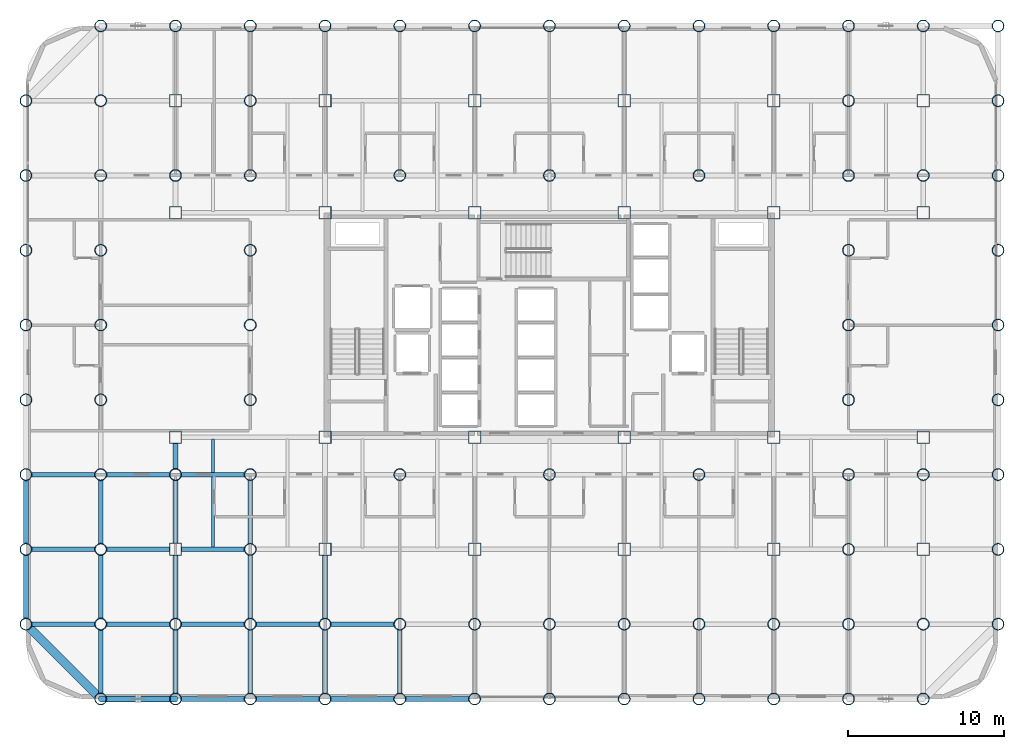
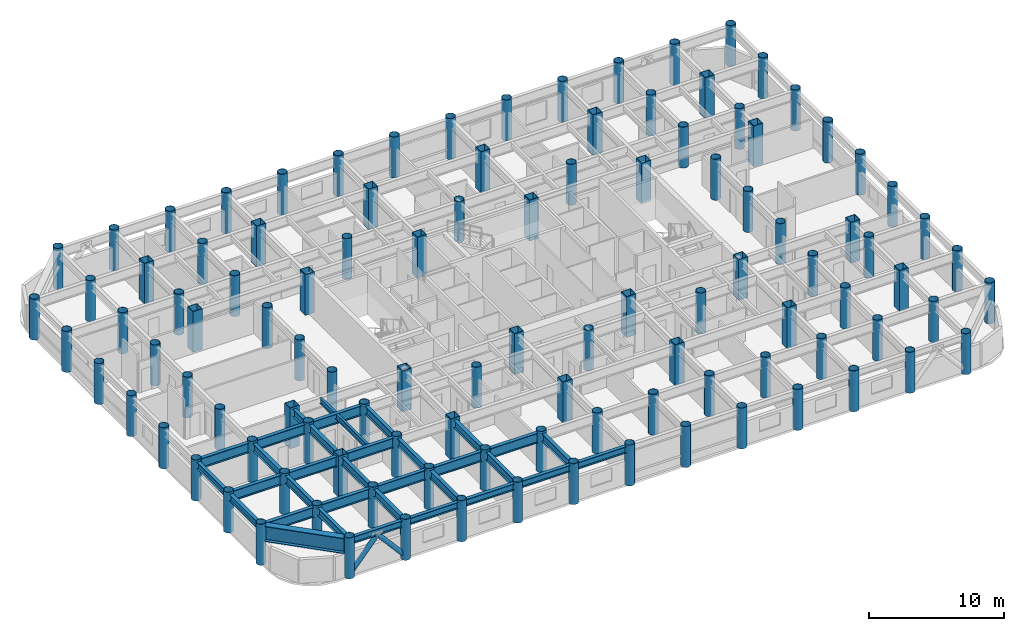
# One storey, part 1 of 22: 108 columns, 33 beams, 2 members.
"""IFC4 building model written with IfcOpenShell, lengths in metres."""

from ifc_helpers import new_model, si_unit, direction, frame, origin, origin_2d, place, context, subcontext, project, spatial, hollow_rectangle, hollow_circle, i_section, extrude, material, material_profile, profile_set, type_object, element, save


model = new_model("IFC4")

# Units and contexts
model_context = context("Model", 3, precision=1e-05, world=origin(), true_north=direction((0.0, 1.0)))
body_context = subcontext(model_context, "Body", "Model", "MODEL_VIEW")
ifc_project = project(units=[si_unit("LENGTHUNIT", "METRE"), si_unit("AREAUNIT", "SQUARE_METRE"), si_unit("VOLUMEUNIT", "CUBIC_METRE"), si_unit("PLANEANGLEUNIT", "RADIAN"), si_unit("MASSUNIT", "GRAM", prefix="KILO")], contexts=[model_context])

# Site, building, storey
site_placement = place(None, origin())
site = spatial("IfcSite", under=ifc_project, at=site_placement, CompositionType="ELEMENT")
building_placement = place(site_placement, origin())
building = spatial("IfcBuilding", under=site, at=building_placement, Name="Kallvorn Hotel Tower", CompositionType="ELEMENT")
storey_placement = place(building_placement, frame((0.0, 0.0, 33.699951171875)))
storey = spatial("IfcBuildingStorey", under=building, at=storey_placement, Name="L06", CompositionType="ELEMENT", Elevation=33.699951171875)

# Columns
ifc_material_1 = material(Name="Structural steel S355J2H", Category="steel")
ifc_material_profile_1 = material_profile(ifc_material_1, hollow_circle(Radius=0.381103515625, WallThickness=0.031982421875, at=origin_2d()), Name="CHS 762x32")
ifc_profile_set_1 = profile_set([ifc_material_profile_1], Name="Structural steel S355J2H")
column_type_1 = type_object("IfcColumnType", Name="COL_CHS_762", PredefinedType="COLUMN", material=ifc_profile_set_1)
for number, where, z_axis, x_axis, name in (
    (1, (-33.60009765625, -19.199951171875, 0.0), (0.0, 0.0, 1.0), (1.0, 0.0, 0.0), "L06 Exoskeleton Column EC01"),
    (2, (-33.60009765625, -14.39990234375, 0.0), (0.0, 0.0, 1.0), (1.0, 0.0, 0.0), "L06 Exoskeleton Column EC02"),
    (3, (-33.60009765625, -9.60009765625, 0.0), (0.0, 0.0, 1.0), (1.0, 0.0, 0.0), "L06 Exoskeleton Column EC03"),
    (4, (-33.60009765625, -4.800048828125, 0.0), (0.0, 0.0, 1.0), (1.0, 0.0, 0.0), "L06 Exoskeleton Column EC04"),
    (5, (-33.60009765625, 0.0, 0.0), (0.0, 0.0, 1.0), (1.0, 0.0, 0.0), "L06 Exoskeleton Column EC05"),
    (6, (-33.60009765625, 4.800048828125, 0.0), (0.0, 0.0, 1.0), (1.0, 0.0, 0.0), "L06 Exoskeleton Column EC06"),
    (7, (-33.60009765625, 9.60009765625, 0.0), (0.0, 0.0, 1.0), (1.0, 0.0, 0.0), "L06 Exoskeleton Column EC07"),
    (8, (-33.60009765625, 14.39990234375, 0.0), (0.0, 0.0, 1.0), (1.0, 0.0, 0.0), "L06 Exoskeleton Column EC08"),
    (9, (-28.800048828125, -24.0, 0.0), (0.0, 0.0, 1.0), (1.0, 0.0, 0.0), "L06 Exoskeleton Column EC09"),
    (10, (-28.800048828125, -19.199951171875, 0.0), (0.0, 0.0, 1.0), (1.0, 0.0, 0.0), "L06 Exoskeleton Column EC10"),
    (11, (-28.800048828125, -14.39990234375, 0.0), (0.0, 0.0, 1.0), (1.0, 0.0, 0.0), "L06 Exoskeleton Column EC11"),
    (12, (-28.800048828125, -9.60009765625, 0.0), (0.0, 0.0, 1.0), (1.0, 0.0, 0.0), "L06 Exoskeleton Column EC12"),
    (13, (-28.800048828125, -4.800048828125, 0.0), (0.0, 0.0, 1.0), (1.0, 0.0, 0.0), "L06 Exoskeleton Column EC13"),
    (14, (-28.800048828125, 0.0, 0.0), (0.0, 0.0, 1.0), (1.0, 0.0, 0.0), "L06 Exoskeleton Column EC14"),
    (15, (-28.800048828125, 4.800048828125, 0.0), (0.0, 0.0, 1.0), (1.0, 0.0, 0.0), "L06 Exoskeleton Column EC15"),
    (16, (-28.800048828125, 9.60009765625, 0.0), (0.0, 0.0, 1.0), (1.0, 0.0, 0.0), "L06 Exoskeleton Column EC16"),
    (17, (-28.800048828125, 14.39990234375, 0.0), (0.0, 0.0, 1.0), (1.0, 0.0, 0.0), "L06 Exoskeleton Column EC17"),
    (18, (-28.800048828125, 19.199951171875, 0.0), (0.0, 0.0, 1.0), (1.0, 0.0, 0.0), "L06 Exoskeleton Column EC18"),
    (19, (-24.0, -24.0, 0.0), (0.0, 0.0, 1.0), (1.0, 0.0, 0.0), "L06 Exoskeleton Column EC19"),
    (20, (-24.0, -19.199951171875, 0.0), (0.0, 0.0, 1.0), (1.0, 0.0, 0.0), "L06 Exoskeleton Column EC20"),
    (21, (-24.0, -9.60009765625, 0.0), (0.0, 0.0, 1.0), (1.0, 0.0, 0.0), "L06 Exoskeleton Column EC21"),
    (22, (-24.0, 9.60009765625, 0.0), (0.0, 0.0, 1.0), (1.0, 0.0, 0.0), "L06 Exoskeleton Column EC22"),
    (23, (-24.0, 19.199951171875, 0.0), (0.0, 0.0, 1.0), (1.0, 0.0, 0.0), "L06 Exoskeleton Column EC23"),
    (24, (-19.199951171875, -24.0, 0.0), (0.0, 0.0, 1.0), (1.0, 0.0, 0.0), "L06 Exoskeleton Column EC24"),
    (25, (-19.199951171875, -19.199951171875, 0.0), (0.0, 0.0, 1.0), (1.0, 0.0, 0.0), "L06 Exoskeleton Column EC25"),
    (26, (-19.199951171875, -14.39990234375, 0.0), (0.0, 0.0, 1.0), (1.0, 0.0, 0.0), "L06 Exoskeleton Column EC26"),
    (27, (-19.199951171875, -9.60009765625, 0.0), (0.0, 0.0, 1.0), (1.0, 0.0, 0.0), "L06 Exoskeleton Column EC27"),
    (28, (-19.199951171875, -4.800048828125, 0.0), (0.0, 0.0, 1.0), (1.0, 0.0, 0.0), "L06 Exoskeleton Column EC28"),
    (29, (-19.199951171875, 0.0, 0.0), (0.0, 0.0, 1.0), (1.0, 0.0, 0.0), "L06 Exoskeleton Column EC29"),
    (30, (-19.199951171875, 4.800048828125, 0.0), (0.0, 0.0, 1.0), (1.0, 0.0, 0.0), "L06 Exoskeleton Column EC30"),
    (31, (-19.199951171875, 9.60009765625, 0.0), (0.0, 0.0, 1.0), (1.0, 0.0, 0.0), "L06 Exoskeleton Column EC31"),
    (32, (-19.199951171875, 14.39990234375, 0.0), (0.0, 0.0, 1.0), (1.0, 0.0, 0.0), "L06 Exoskeleton Column EC32"),
    (33, (-19.199951171875, 19.199951171875, 0.0), (0.0, 0.0, 1.0), (1.0, 0.0, 0.0), "L06 Exoskeleton Column EC33"),
    (34, (-14.39990234375, -24.0, 0.0), (0.0, 0.0, 1.0), (1.0, 0.0, 0.0), "L06 Exoskeleton Column EC34"),
    (35, (-14.39990234375, -19.199951171875, 0.0), (0.0, 0.0, 1.0), (1.0, 0.0, 0.0), "L06 Exoskeleton Column EC35"),
    (36, (-14.39990234375, 19.199951171875, 0.0), (0.0, 0.0, 1.0), (1.0, 0.0, 0.0), "L06 Exoskeleton Column EC36"),
    (37, (-9.60009765625, -24.0, 0.0), (0.0, 0.0, 1.0), (1.0, 0.0, 0.0), "L06 Exoskeleton Column EC37"),
    (38, (-9.60009765625, -19.199951171875, 0.0), (0.0, 0.0, 1.0), (1.0, 0.0, 0.0), "L06 Exoskeleton Column EC38"),
    (39, (-9.60009765625, -9.60009765625, 0.0), (0.0, 0.0, 1.0), (1.0, 0.0, 0.0), "L06 Exoskeleton Column EC39"),
    (40, (-9.60009765625, 9.60009765625, 0.0), (0.0, 0.0, 1.0), (1.0, 0.0, 0.0), "L06 Exoskeleton Column EC40"),
    (41, (-9.60009765625, 19.199951171875, 0.0), (0.0, 0.0, 1.0), (1.0, 0.0, 0.0), "L06 Exoskeleton Column EC41"),
    (42, (-4.800048828125, -24.0, 0.0), (0.0, 0.0, 1.0), (1.0, 0.0, 0.0), "L06 Exoskeleton Column EC42"),
    (43, (-4.800048828125, -19.199951171875, 0.0), (0.0, 0.0, 1.0), (1.0, 0.0, 0.0), "L06 Exoskeleton Column EC43"),
    (44, (-4.800048828125, 19.199951171875, 0.0), (0.0, 0.0, 1.0), (1.0, 0.0, 0.0), "L06 Exoskeleton Column EC44"),
    (45, (0.0, -24.0, 0.0), (0.0, 0.0, 1.0), (1.0, 0.0, 0.0), "L06 Exoskeleton Column EC45"),
    (46, (0.0, -19.199951171875, 0.0), (0.0, 0.0, 1.0), (1.0, 0.0, 0.0), "L06 Exoskeleton Column EC46"),
    (47, (0.0, -9.60009765625, 0.0), (0.0, 0.0, 1.0), (1.0, 0.0, 0.0), "L06 Exoskeleton Column EC47"),
    (48, (0.0, 9.60009765625, 0.0), (0.0, 0.0, 1.0), (1.0, 0.0, 0.0), "L06 Exoskeleton Column EC48"),
    (49, (0.0, 19.199951171875, 0.0), (0.0, 0.0, 1.0), (1.0, 0.0, 0.0), "L06 Exoskeleton Column EC49"),
    (50, (4.800048828125, -24.0, 0.0), (0.0, 0.0, 1.0), (1.0, 0.0, 0.0), "L06 Exoskeleton Column EC50"),
    (51, (4.800048828125, -19.199951171875, 0.0), (0.0, 0.0, 1.0), (1.0, 0.0, 0.0), "L06 Exoskeleton Column EC51"),
    (52, (4.800048828125, 19.199951171875, 0.0), (0.0, 0.0, 1.0), (1.0, 0.0, 0.0), "L06 Exoskeleton Column EC52"),
    (53, (9.60009765625, -24.0, 0.0), (0.0, 0.0, 1.0), (1.0, 0.0, 0.0), "L06 Exoskeleton Column EC53"),
    (54, (9.60009765625, -19.199951171875, 0.0), (0.0, 0.0, 1.0), (1.0, 0.0, 0.0), "L06 Exoskeleton Column EC54"),
    (55, (9.60009765625, -9.60009765625, 0.0), (0.0, 0.0, 1.0), (1.0, 0.0, 0.0), "L06 Exoskeleton Column EC55"),
    (56, (9.60009765625, 9.60009765625, 0.0), (0.0, 0.0, 1.0), (1.0, 0.0, 0.0), "L06 Exoskeleton Column EC56"),
    (57, (9.60009765625, 19.199951171875, 0.0), (0.0, 0.0, 1.0), (1.0, 0.0, 0.0), "L06 Exoskeleton Column EC57"),
    (58, (14.39990234375, -24.0, 0.0), (0.0, 0.0, 1.0), (1.0, 0.0, 0.0), "L06 Exoskeleton Column EC58"),
    (59, (14.39990234375, -19.199951171875, 0.0), (0.0, 0.0, 1.0), (1.0, 0.0, 0.0), "L06 Exoskeleton Column EC59"),
    (60, (14.39990234375, 19.199951171875, 0.0), (0.0, 0.0, 1.0), (1.0, 0.0, 0.0), "L06 Exoskeleton Column EC60"),
    (61, (19.199951171875, -24.0, 0.0), (0.0, 0.0, 1.0), (1.0, 0.0, 0.0), "L06 Exoskeleton Column EC61"),
    (62, (19.199951171875, -19.199951171875, 0.0), (0.0, 0.0, 1.0), (1.0, 0.0, 0.0), "L06 Exoskeleton Column EC62"),
    (63, (19.199951171875, -14.39990234375, 0.0), (0.0, 0.0, 1.0), (1.0, 0.0, 0.0), "L06 Exoskeleton Column EC63"),
    (64, (19.199951171875, -9.60009765625, 0.0), (0.0, 0.0, 1.0), (1.0, 0.0, 0.0), "L06 Exoskeleton Column EC64"),
    (65, (19.199951171875, -4.800048828125, 0.0), (0.0, 0.0, 1.0), (1.0, 0.0, 0.0), "L06 Exoskeleton Column EC65"),
    (66, (19.199951171875, 0.0, 0.0), (0.0, 0.0, 1.0), (1.0, 0.0, 0.0), "L06 Exoskeleton Column EC66"),
    (67, (19.199951171875, 4.800048828125, 0.0), (0.0, 0.0, 1.0), (1.0, 0.0, 0.0), "L06 Exoskeleton Column EC67"),
    (68, (19.199951171875, 9.60009765625, 0.0), (0.0, 0.0, 1.0), (1.0, 0.0, 0.0), "L06 Exoskeleton Column EC68"),
    (69, (19.199951171875, 14.39990234375, 0.0), (0.0, 0.0, 1.0), (1.0, 0.0, 0.0), "L06 Exoskeleton Column EC69"),
    (70, (19.199951171875, 19.199951171875, 0.0), (0.0, 0.0, 1.0), (1.0, 0.0, 0.0), "L06 Exoskeleton Column EC70"),
    (71, (24.0, -24.0, 0.0), (0.0, 0.0, 1.0), (1.0, 0.0, 0.0), "L06 Exoskeleton Column EC71"),
    (72, (24.0, -19.199951171875, 0.0), (0.0, 0.0, 1.0), (1.0, 0.0, 0.0), "L06 Exoskeleton Column EC72"),
    (73, (24.0, -9.60009765625, 0.0), (0.0, 0.0, 1.0), (1.0, 0.0, 0.0), "L06 Exoskeleton Column EC73"),
    (74, (24.0, 9.60009765625, 0.0), (0.0, 0.0, 1.0), (1.0, 0.0, 0.0), "L06 Exoskeleton Column EC74"),
    (75, (24.0, 19.199951171875, 0.0), (0.0, 0.0, 1.0), (1.0, 0.0, 0.0), "L06 Exoskeleton Column EC75"),
    (76, (28.800048828125, -19.199951171875, 0.0), (0.0, 0.0, 1.0), (1.0, 0.0, 0.0), "L06 Exoskeleton Column EC76"),
    (77, (28.800048828125, -14.39990234375, 0.0), (0.0, 0.0, 1.0), (1.0, 0.0, 0.0), "L06 Exoskeleton Column EC77"),
    (78, (28.800048828125, -9.60009765625, 0.0), (0.0, 0.0, 1.0), (1.0, 0.0, 0.0), "L06 Exoskeleton Column EC78"),
    (79, (28.800048828125, -4.800048828125, 0.0), (0.0, 0.0, 1.0), (1.0, 0.0, 0.0), "L06 Exoskeleton Column EC79"),
    (80, (28.800048828125, 0.0, 0.0), (0.0, 0.0, 1.0), (1.0, 0.0, 0.0), "L06 Exoskeleton Column EC80"),
    (81, (28.800048828125, 4.800048828125, 0.0), (0.0, 0.0, 1.0), (1.0, 0.0, 0.0), "L06 Exoskeleton Column EC81"),
    (82, (28.800048828125, 9.60009765625, 0.0), (0.0, 0.0, 1.0), (1.0, 0.0, 0.0), "L06 Exoskeleton Column EC82"),
    (83, (28.800048828125, 14.39990234375, 0.0), (0.0, 0.0, 1.0), (1.0, 0.0, 0.0), "L06 Exoskeleton Column EC83"),
    (84, (28.800048828125, 19.199951171875, 0.0), (0.0, 0.0, 1.0), (1.0, 0.0, 0.0), "L06 Exoskeleton Column EC84"),
):
    element("IfcColumn", number, at=place(storey_placement, frame(where, z_axis=z_axis, x_axis=x_axis)), inside=storey, type_object=column_type_1, Name=name, PredefinedType="COLUMN", context=body_context, shape_type="SweptSolid", body=[
        extrude(hollow_circle(Radius=0.381103515625, WallThickness=0.031982421875, at=origin_2d()), origin(), (0.0, 0.0, 1.0), 3.699951171875),
    ])
ifc_material_2 = material(Name="Structural steel S355J2H", Category="steel")
ifc_material_profile_2 = material_profile(ifc_material_2, hollow_rectangle(XDim=0.800048828125, YDim=0.800048828125, WallThickness=0.035888671875, at=origin_2d()), Name="RHS 800x800x36")
ifc_profile_set_2 = profile_set([ifc_material_profile_2], Name="Structural steel S355J2H")
column_type_2 = type_object("IfcColumnType", Name="COL_RHS_800", PredefinedType="COLUMN", material=ifc_profile_set_2)
for number, where, z_axis, x_axis, name in (
    (85, (-24.0, -14.39990234375, 0.0), (0.0, 0.0, 1.0), (1.0, 0.0, 0.0), "L06 Inner Column IC01"),
    (86, (-24.0, -7.199951171875, 0.0), (0.0, 0.0, 1.0), (1.0, 0.0, 0.0), "L06 Inner Column IC02"),
    (87, (-24.0, 7.199951171875, 0.0), (0.0, 0.0, 1.0), (1.0, 0.0, 0.0), "L06 Inner Column IC03"),
    (88, (-24.0, 14.39990234375, 0.0), (0.0, 0.0, 1.0), (1.0, 0.0, 0.0), "L06 Inner Column IC04"),
    (89, (-14.39990234375, -14.39990234375, 0.0), (0.0, 0.0, 1.0), (1.0, 0.0, 0.0), "L06 Inner Column IC05"),
    (90, (-14.39990234375, -7.199951171875, 0.0), (0.0, 0.0, 1.0), (1.0, 0.0, 0.0), "L06 Inner Column IC06"),
    (91, (-14.39990234375, 7.199951171875, 0.0), (0.0, 0.0, 1.0), (1.0, 0.0, 0.0), "L06 Inner Column IC07"),
    (92, (-14.39990234375, 14.39990234375, 0.0), (0.0, 0.0, 1.0), (1.0, 0.0, 0.0), "L06 Inner Column IC08"),
    (93, (-4.800048828125, -14.39990234375, 0.0), (0.0, 0.0, 1.0), (1.0, 0.0, 0.0), "L06 Inner Column IC09"),
    (94, (-4.800048828125, -7.199951171875, 0.0), (0.0, 0.0, 1.0), (1.0, 0.0, 0.0), "L06 Inner Column IC10"),
    (95, (-4.800048828125, 7.199951171875, 0.0), (0.0, 0.0, 1.0), (1.0, 0.0, 0.0), "L06 Inner Column IC11"),
    (96, (-4.800048828125, 14.39990234375, 0.0), (0.0, 0.0, 1.0), (1.0, 0.0, 0.0), "L06 Inner Column IC12"),
    (97, (4.800048828125, -14.39990234375, 0.0), (0.0, 0.0, 1.0), (1.0, 0.0, 0.0), "L06 Inner Column IC13"),
    (98, (4.800048828125, -7.199951171875, 0.0), (0.0, 0.0, 1.0), (1.0, 0.0, 0.0), "L06 Inner Column IC14"),
    (99, (4.800048828125, 7.199951171875, 0.0), (0.0, 0.0, 1.0), (1.0, 0.0, 0.0), "L06 Inner Column IC15"),
    (100, (4.800048828125, 14.39990234375, 0.0), (0.0, 0.0, 1.0), (1.0, 0.0, 0.0), "L06 Inner Column IC16"),
    (101, (14.39990234375, -14.39990234375, 0.0), (0.0, 0.0, 1.0), (1.0, 0.0, 0.0), "L06 Inner Column IC17"),
    (102, (14.39990234375, -7.199951171875, 0.0), (0.0, 0.0, 1.0), (1.0, 0.0, 0.0), "L06 Inner Column IC18"),
    (103, (14.39990234375, 7.199951171875, 0.0), (0.0, 0.0, 1.0), (1.0, 0.0, 0.0), "L06 Inner Column IC19"),
    (104, (14.39990234375, 14.39990234375, 0.0), (0.0, 0.0, 1.0), (1.0, 0.0, 0.0), "L06 Inner Column IC20"),
    (105, (24.0, -14.39990234375, 0.0), (0.0, 0.0, 1.0), (1.0, 0.0, 0.0), "L06 Inner Column IC21"),
    (106, (24.0, -7.199951171875, 0.0), (0.0, 0.0, 1.0), (1.0, 0.0, 0.0), "L06 Inner Column IC22"),
    (107, (24.0, 7.199951171875, 0.0), (0.0, 0.0, 1.0), (1.0, 0.0, 0.0), "L06 Inner Column IC23"),
    (108, (24.0, 14.39990234375, 0.0), (0.0, 0.0, 1.0), (1.0, 0.0, 0.0), "L06 Inner Column IC24"),
):
    element("IfcColumn", number, at=place(storey_placement, frame(where, z_axis=z_axis, x_axis=x_axis)), inside=storey, type_object=column_type_2, Name=name, PredefinedType="COLUMN", context=body_context, shape_type="SweptSolid", body=[
        extrude(hollow_rectangle(XDim=0.800048828125, YDim=0.800048828125, WallThickness=0.035888671875, at=origin_2d()), origin(), (0.0, 0.0, 1.0), 3.699951171875),
    ])

# Beams
ifc_material_3 = material(Name="Structural steel S355JR", Category="steel")
ifc_material_profile_3 = material_profile(ifc_material_3, i_section(OverallWidth=0.300048828125, OverallDepth=0.60009765625, WebThickness=0.015380859375, FlangeThickness=0.030029296875, at=origin_2d()), Name="HE 600 B")
ifc_profile_set_3 = profile_set([ifc_material_profile_3], Name="Structural steel S355JR")
beam_type_1 = type_object("IfcBeamType", Name="BM_HE600B", PredefinedType="SPANDREL", material=ifc_profile_set_3)
for number, where, z_axis, x_axis, name in (
    (109, (-28.428955078125, -24.0, 3.219970703125), (1.0, 0.0, 0.0), (0.0, 1.0, 0.0), "L07 Perimeter Spandrel 151"),
    (110, (-23.62890625, -24.0, 3.219970703125), (1.0, 0.0, 0.0), (0.0, 1.0, 0.0), "L07 Perimeter Spandrel 152"),
):
    element("IfcBeam", number, at=place(storey_placement, frame(where, z_axis=z_axis, x_axis=x_axis)), inside=storey, type_object=beam_type_1, Name=name, PredefinedType="SPANDREL", context=body_context, shape_type="SweptSolid", body=[
        extrude(i_section(OverallWidth=0.300048828125, OverallDepth=0.60009765625, WebThickness=0.015380859375, FlangeThickness=0.030029296875, at=origin_2d()), origin(), (0.0, 0.0, 1.0), 4.057861328125),
    ])
for number, where, z_axis, x_axis, name in (
    (111, (-18.8291015625, -24.0, 3.219970703125), (1.0, 0.0, 0.0), (0.0, 1.0, 0.0), "L07 Perimeter Spandrel 153"),
    (112, (-14.029052734375, -24.0, 3.219970703125), (1.0, 0.0, 0.0), (0.0, 1.0, 0.0), "L07 Perimeter Spandrel 154"),
    (113, (-9.22900390625, -24.0, 3.219970703125), (1.0, 0.0, 0.0), (0.0, 1.0, 0.0), "L07 Perimeter Spandrel 155"),
    (114, (-33.60009765625, -18.8291015625, 3.219970703125), (0.0, 1.0, 0.0), (-1.0, 0.0, 0.0), "L07 Perimeter Spandrel 174"),
    (115, (-33.60009765625, -14.029052734375, 3.219970703125), (0.0, 1.0, 0.0), (-1.0, 0.0, 0.0), "L07 Perimeter Spandrel 175"),
):
    element("IfcBeam", number, at=place(storey_placement, frame(where, z_axis=z_axis, x_axis=x_axis)), inside=storey, type_object=beam_type_1, Name=name, PredefinedType="SPANDREL", context=body_context, shape_type="SweptSolid", body=[
        extrude(i_section(OverallWidth=0.300048828125, OverallDepth=0.60009765625, WebThickness=0.015380859375, FlangeThickness=0.030029296875, at=origin_2d()), origin(), (0.0, 0.0, 1.0), 4.05810546875),
    ])
ifc_material_4 = material(Name="Structural steel S355JR", Category="steel")
ifc_material_profile_4 = material_profile(ifc_material_4, i_section(OverallWidth=0.300048828125, OverallDepth=0.699951171875, WebThickness=0.01708984375, FlangeThickness=0.031982421875, at=origin_2d()), Name="HE 700 B")
ifc_profile_set_4 = profile_set([ifc_material_profile_4], Name="Structural steel S355JR")
beam_type_2 = type_object("IfcBeamType", Name="BM_HE700B", PredefinedType="BEAM", material=ifc_profile_set_4)
beam_1_placement = place(storey_placement, frame((-28.800048828125, -23.64404296875, 3.170166015625), z_axis=(0.0, 1.0, 0.0), x_axis=(-1.0, 0.0, 0.0)))
element("IfcBeam", 116, at=beam_1_placement, inside=storey, type_object=beam_type_2, Name="L07 Primary Y-Girder 73", PredefinedType="BEAM", context=body_context, shape_type="SweptSolid", body=[
    extrude(i_section(OverallWidth=0.300048828125, OverallDepth=0.699951171875, WebThickness=0.01708984375, FlangeThickness=0.031982421875, at=origin_2d()), origin(), (0.0, 0.0, 1.0), 4.088134765625),
])
for number, where, z_axis, x_axis, name in (
    (117, (-28.800048828125, -18.843994140625, 3.170166015625), (0.0, 1.0, 0.0), (-1.0, 0.0, 0.0), "L07 Primary Y-Girder 74"),
    (118, (-28.800048828125, -14.0439453125, 3.170166015625), (0.0, 1.0, 0.0), (-1.0, 0.0, 0.0), "L07 Primary Y-Girder 75"),
):
    element("IfcBeam", number, at=place(storey_placement, frame(where, z_axis=z_axis, x_axis=x_axis)), inside=storey, type_object=beam_type_2, Name=name, PredefinedType="BEAM", context=body_context, shape_type="SweptSolid", body=[
        extrude(i_section(OverallWidth=0.300048828125, OverallDepth=0.699951171875, WebThickness=0.01708984375, FlangeThickness=0.031982421875, at=origin_2d()), origin(), (0.0, 0.0, 1.0), 4.087890625),
    ])
beam_2_placement = place(storey_placement, frame((-24.0, -23.64404296875, 3.170166015625), z_axis=(0.0, 1.0, 0.0), x_axis=(-1.0, 0.0, 0.0)))
element("IfcBeam", 119, at=beam_2_placement, inside=storey, type_object=beam_type_2, Name="L07 Primary Y-Girder 82", PredefinedType="BEAM", context=body_context, shape_type="SweptSolid", body=[
    extrude(i_section(OverallWidth=0.300048828125, OverallDepth=0.699951171875, WebThickness=0.01708984375, FlangeThickness=0.031982421875, at=origin_2d()), origin(), (0.0, 0.0, 1.0), 4.088134765625),
])
beam_3_placement = place(storey_placement, frame((-24.0, -18.843994140625, 3.170166015625), z_axis=(0.0, 1.0, 0.0), x_axis=(-1.0, 0.0, 0.0)))
element("IfcBeam", 120, at=beam_3_placement, inside=storey, type_object=beam_type_2, Name="L07 Primary Y-Girder 83", PredefinedType="BEAM", context=body_context, shape_type="SweptSolid", body=[
    extrude(i_section(OverallWidth=0.300048828125, OverallDepth=0.699951171875, WebThickness=0.01708984375, FlangeThickness=0.031982421875, at=origin_2d()), origin(), (0.0, 0.0, 1.0), 4.069091796875),
])
beam_4_placement = place(storey_placement, frame((-24.0, -14.02490234375, 3.170166015625), z_axis=(0.0, 1.0, 0.0), x_axis=(-1.0, 0.0, 0.0)))
element("IfcBeam", 121, at=beam_4_placement, inside=storey, type_object=beam_type_2, Name="L07 Primary Y-Girder 84", PredefinedType="BEAM", context=body_context, shape_type="SweptSolid", body=[
    extrude(i_section(OverallWidth=0.300048828125, OverallDepth=0.699951171875, WebThickness=0.01708984375, FlangeThickness=0.031982421875, at=origin_2d()), origin(), (0.0, 0.0, 1.0), 4.06884765625),
])
beam_5_placement = place(storey_placement, frame((-24.0, -9.243896484375, 3.170166015625), z_axis=(0.0, 1.0, 0.0), x_axis=(-1.0, 0.0, 0.0)))
element("IfcBeam", 122, at=beam_5_placement, inside=storey, type_object=beam_type_2, Name="L07 Primary Y-Girder 85", PredefinedType="BEAM", context=body_context, shape_type="SweptSolid", body=[
    extrude(i_section(OverallWidth=0.300048828125, OverallDepth=0.699951171875, WebThickness=0.01708984375, FlangeThickness=0.031982421875, at=origin_2d()), origin(), (0.0, 0.0, 1.0), 1.6689453125),
])
beam_6_placement = place(storey_placement, frame((-19.199951171875, -23.64404296875, 3.170166015625), z_axis=(0.0, 1.0, 0.0), x_axis=(-1.0, 0.0, 0.0)))
element("IfcBeam", 123, at=beam_6_placement, inside=storey, type_object=beam_type_2, Name="L07 Primary Y-Girder 89", PredefinedType="BEAM", context=body_context, shape_type="SweptSolid", body=[
    extrude(i_section(OverallWidth=0.300048828125, OverallDepth=0.699951171875, WebThickness=0.01708984375, FlangeThickness=0.031982421875, at=origin_2d()), origin(), (0.0, 0.0, 1.0), 4.088134765625),
])
for number, where, z_axis, x_axis, name in (
    (124, (-19.199951171875, -18.843994140625, 3.170166015625), (0.0, 1.0, 0.0), (-1.0, 0.0, 0.0), "L07 Primary Y-Girder 90"),
    (125, (-19.199951171875, -14.0439453125, 3.170166015625), (0.0, 1.0, 0.0), (-1.0, 0.0, 0.0), "L07 Primary Y-Girder 91"),
):
    element("IfcBeam", number, at=place(storey_placement, frame(where, z_axis=z_axis, x_axis=x_axis)), inside=storey, type_object=beam_type_2, Name=name, PredefinedType="BEAM", context=body_context, shape_type="SweptSolid", body=[
        extrude(i_section(OverallWidth=0.300048828125, OverallDepth=0.699951171875, WebThickness=0.01708984375, FlangeThickness=0.031982421875, at=origin_2d()), origin(), (0.0, 0.0, 1.0), 4.087890625),
    ])
beam_7_placement = place(storey_placement, frame((-14.39990234375, -23.64404296875, 3.170166015625), z_axis=(0.0, 1.0, 0.0), x_axis=(-1.0, 0.0, 0.0)))
element("IfcBeam", 126, at=beam_7_placement, inside=storey, type_object=beam_type_2, Name="L07 Primary Y-Girder 98", PredefinedType="BEAM", context=body_context, shape_type="SweptSolid", body=[
    extrude(i_section(OverallWidth=0.300048828125, OverallDepth=0.699951171875, WebThickness=0.01708984375, FlangeThickness=0.031982421875, at=origin_2d()), origin(), (0.0, 0.0, 1.0), 4.088134765625),
])
beam_8_placement = place(storey_placement, frame((-14.39990234375, -18.843994140625, 3.170166015625), z_axis=(0.0, 1.0, 0.0), x_axis=(-1.0, 0.0, 0.0)))
element("IfcBeam", 127, at=beam_8_placement, inside=storey, type_object=beam_type_2, Name="L07 Primary Y-Girder 99", PredefinedType="BEAM", context=body_context, shape_type="SweptSolid", body=[
    extrude(i_section(OverallWidth=0.300048828125, OverallDepth=0.699951171875, WebThickness=0.01708984375, FlangeThickness=0.031982421875, at=origin_2d()), origin(), (0.0, 0.0, 1.0), 4.069091796875),
])
beam_9_placement = place(storey_placement, frame((-9.60009765625, -23.64404296875, 3.170166015625), z_axis=(0.0, 1.0, 0.0), x_axis=(-1.0, 0.0, 0.0)))
element("IfcBeam", 128, at=beam_9_placement, inside=storey, type_object=beam_type_2, Name="L07 Primary Y-Girder 103", PredefinedType="BEAM", context=body_context, shape_type="SweptSolid", body=[
    extrude(i_section(OverallWidth=0.300048828125, OverallDepth=0.699951171875, WebThickness=0.01708984375, FlangeThickness=0.031982421875, at=origin_2d()), origin(), (0.0, 0.0, 1.0), 4.088134765625),
])
ifc_material_5 = material(Name="Structural steel S355JR", Category="steel")
ifc_material_profile_5 = material_profile(ifc_material_5, i_section(OverallWidth=0.300048828125, OverallDepth=0.89990234375, WebThickness=0.0185546875, FlangeThickness=0.034912109375, at=origin_2d()), Name="HE 900 B")
ifc_profile_set_5 = profile_set([ifc_material_profile_5], Name="Structural steel S355JR")
beam_type_3 = type_object("IfcBeamType", Name="BM_HE900B", PredefinedType="BEAM", material=ifc_profile_set_5)
beam_10_placement = place(storey_placement, frame((-33.243896484375, -19.199951171875, 3.070068359375), z_axis=(1.0, 0.0, 0.0), x_axis=(0.0, 1.0, 0.0)))
element("IfcBeam", 129, at=beam_10_placement, inside=storey, type_object=beam_type_3, Name="L07 Primary X-Girder 01", PredefinedType="BEAM", context=body_context, shape_type="SweptSolid", body=[
    extrude(i_section(OverallWidth=0.300048828125, OverallDepth=0.89990234375, WebThickness=0.0185546875, FlangeThickness=0.034912109375, at=origin_2d()), origin(), (0.0, 0.0, 1.0), 4.087890625),
])
for number, where, z_axis, x_axis, name in (
    (130, (-28.444091796875, -19.199951171875, 3.070068359375), (1.0, 0.0, 0.0), (0.0, 1.0, 0.0), "L07 Primary X-Girder 02"),
    (131, (-23.64404296875, -19.199951171875, 3.070068359375), (1.0, 0.0, 0.0), (0.0, 1.0, 0.0), "L07 Primary X-Girder 03"),
):
    element("IfcBeam", number, at=place(storey_placement, frame(where, z_axis=z_axis, x_axis=x_axis)), inside=storey, type_object=beam_type_3, Name=name, PredefinedType="BEAM", context=body_context, shape_type="SweptSolid", body=[
        extrude(i_section(OverallWidth=0.300048828125, OverallDepth=0.89990234375, WebThickness=0.0185546875, FlangeThickness=0.034912109375, at=origin_2d()), origin(), (0.0, 0.0, 1.0), 4.088134765625),
    ])
for number, where, z_axis, x_axis, name in (
    (132, (-18.843994140625, -19.199951171875, 3.070068359375), (1.0, 0.0, 0.0), (0.0, 1.0, 0.0), "L07 Primary X-Girder 04"),
    (133, (-14.0439453125, -19.199951171875, 3.070068359375), (1.0, 0.0, 0.0), (0.0, 1.0, 0.0), "L07 Primary X-Girder 05"),
    (134, (-33.243896484375, -14.39990234375, 3.070068359375), (1.0, 0.0, 0.0), (0.0, 1.0, 0.0), "L07 Primary X-Girder 14"),
):
    element("IfcBeam", number, at=place(storey_placement, frame(where, z_axis=z_axis, x_axis=x_axis)), inside=storey, type_object=beam_type_3, Name=name, PredefinedType="BEAM", context=body_context, shape_type="SweptSolid", body=[
        extrude(i_section(OverallWidth=0.300048828125, OverallDepth=0.89990234375, WebThickness=0.0185546875, FlangeThickness=0.034912109375, at=origin_2d()), origin(), (0.0, 0.0, 1.0), 4.087890625),
    ])
for number, where, z_axis, x_axis, name in (
    (135, (-28.444091796875, -14.39990234375, 3.070068359375), (1.0, 0.0, 0.0), (0.0, 1.0, 0.0), "L07 Primary X-Girder 15"),
    (136, (-23.625, -14.39990234375, 3.070068359375), (1.0, 0.0, 0.0), (0.0, 1.0, 0.0), "L07 Primary X-Girder 16"),
):
    element("IfcBeam", number, at=place(storey_placement, frame(where, z_axis=z_axis, x_axis=x_axis)), inside=storey, type_object=beam_type_3, Name=name, PredefinedType="BEAM", context=body_context, shape_type="SweptSolid", body=[
        extrude(i_section(OverallWidth=0.300048828125, OverallDepth=0.89990234375, WebThickness=0.0185546875, FlangeThickness=0.034912109375, at=origin_2d()), origin(), (0.0, 0.0, 1.0), 4.069091796875),
    ])
beam_11_placement = place(storey_placement, frame((-33.243896484375, -9.60009765625, 3.070068359375), z_axis=(1.0, 0.0, 0.0), x_axis=(0.0, 1.0, 0.0)))
element("IfcBeam", 137, at=beam_11_placement, inside=storey, type_object=beam_type_3, Name="L07 Primary X-Girder 24", PredefinedType="BEAM", context=body_context, shape_type="SweptSolid", body=[
    extrude(i_section(OverallWidth=0.300048828125, OverallDepth=0.89990234375, WebThickness=0.0185546875, FlangeThickness=0.034912109375, at=origin_2d()), origin(), (0.0, 0.0, 1.0), 4.087890625),
])
for number, where, z_axis, x_axis, name in (
    (138, (-28.444091796875, -9.60009765625, 3.070068359375), (1.0, 0.0, 0.0), (0.0, 1.0, 0.0), "L07 Primary X-Girder 25"),
    (139, (-23.64404296875, -9.60009765625, 3.070068359375), (1.0, 0.0, 0.0), (0.0, 1.0, 0.0), "L07 Primary X-Girder 26"),
):
    element("IfcBeam", number, at=place(storey_placement, frame(where, z_axis=z_axis, x_axis=x_axis)), inside=storey, type_object=beam_type_3, Name=name, PredefinedType="BEAM", context=body_context, shape_type="SweptSolid", body=[
        extrude(i_section(OverallWidth=0.300048828125, OverallDepth=0.89990234375, WebThickness=0.0185546875, FlangeThickness=0.034912109375, at=origin_2d()), origin(), (0.0, 0.0, 1.0), 4.088134765625),
    ])
ifc_material_6 = material(Name="Structural steel S355JR", Category="steel")
ifc_material_profile_6 = material_profile(ifc_material_6, i_section(OverallWidth=0.199951171875, OverallDepth=0.5, WebThickness=0.01025390625, FlangeThickness=0.01611328125, at=origin_2d()), Name="IPE 500")
ifc_profile_set_6 = profile_set([ifc_material_profile_6], Name="Structural steel S355JR")
beam_type_4 = type_object("IfcBeamType", Name="BM_IPE500", PredefinedType="JOIST", material=ifc_profile_set_6)
beam_12_placement = place(storey_placement, frame((-21.60009765625, -14.300048828125, 3.27001953125), z_axis=(0.0, 1.0, 0.0), x_axis=(-1.0, 0.0, 0.0)))
element("IfcBeam", 140, at=beam_12_placement, inside=storey, type_object=beam_type_4, Name="L07 Secondary Composite Joist 192", PredefinedType="JOIST", context=body_context, shape_type="SweptSolid", body=[
    extrude(i_section(OverallWidth=0.199951171875, OverallDepth=0.5, WebThickness=0.01025390625, FlangeThickness=0.01611328125, at=origin_2d()), origin(), (0.0, 0.0, 1.0), 7.0),
])
ifc_material_7 = material(Name="Structural steel S355JR", Category="steel")
ifc_material_profile_7 = material_profile(ifc_material_7, i_section(OverallWidth=0.550048828125, OverallDepth=1.39990234375, WebThickness=0.02490234375, FlangeThickness=0.044921875, at=origin_2d()), Name="PG 1400x550x25x45")
ifc_profile_set_7 = profile_set([ifc_material_profile_7], Name="Structural steel S355JR")
beam_type_5 = type_object("IfcBeamType", Name="BM_PG_1400", PredefinedType="BEAM", material=ifc_profile_set_7)
beam_13_placement = place(storey_placement, frame((-33.337646484375, -19.46240234375, 2.820068359375), z_axis=(0.707106781187, -0.707106781187, 0.0), x_axis=(0.707106781187, 0.707106781187, 0.0)))
element("IfcBeam", 141, at=beam_13_placement, inside=storey, type_object=beam_type_5, Name="L07 Rounded Corner Tie Beam 189", PredefinedType="BEAM", context=body_context, shape_type="SweptSolid", body=[
    extrude(i_section(OverallWidth=0.550048828125, OverallDepth=1.39990234375, WebThickness=0.02490234375, FlangeThickness=0.044921875, at=origin_2d()), origin(), (0.0, 0.0, 1.0), 6.04638671875),
])

# Members
ifc_material_8 = material(Name="Structural steel S355J2H", Category="steel")
ifc_material_profile_8 = material_profile(ifc_material_8, hollow_circle(Radius=0.203125, WallThickness=0.01611328125, at=origin_2d()), Name="CHS 406.4x16")
ifc_profile_set_8 = profile_set([ifc_material_profile_8], Name="Structural steel S355J2H")
member_type = type_object("IfcMemberType", Name="MBR_EXO_CHS406", PredefinedType="BRACE", material=ifc_profile_set_8)
for number, where, z_axis, x_axis, name in (
    (142, (-28.786865234375, -24.0, 0.195068359375), (0.653427382465, 0.0, 0.756989204576), (0.0, 1.0, 0.0), "L06 Exoskeleton K-Brace S1A"),
    (143, (-24.01318359375, -24.0, 0.195068359375), (-0.653427382465, 0.0, 0.756989204576), (0.0, -1.0, 0.0), "L06 Exoskeleton K-Brace S1B"),
):
    element("IfcMember", number, at=place(storey_placement, frame(where, z_axis=z_axis, x_axis=x_axis)), inside=storey, type_object=member_type, Name=name, PredefinedType="BRACE", context=body_context, shape_type="SweptSolid", body=[
        extrude(hollow_circle(Radius=0.203125, WallThickness=0.01611328125, at=origin_2d()), origin(), (0.0, 0.0, 1.0), 3.6328125),
    ])

save(model, "model.ifc")
